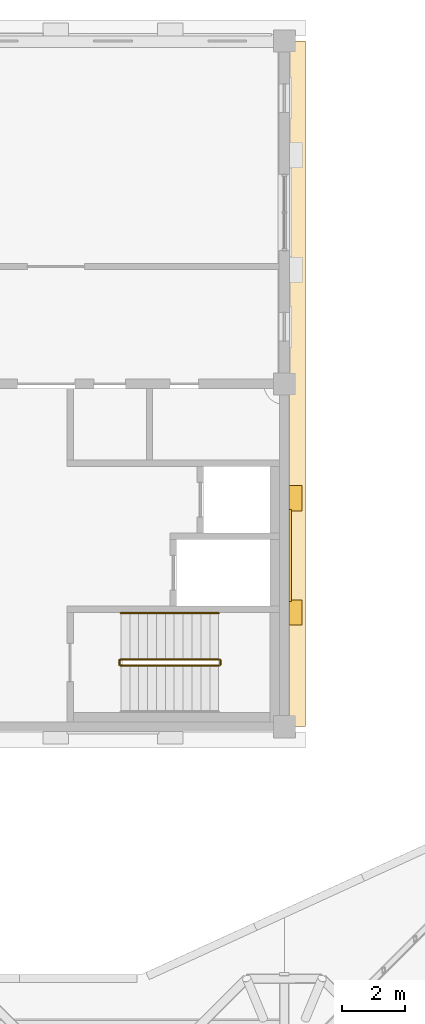
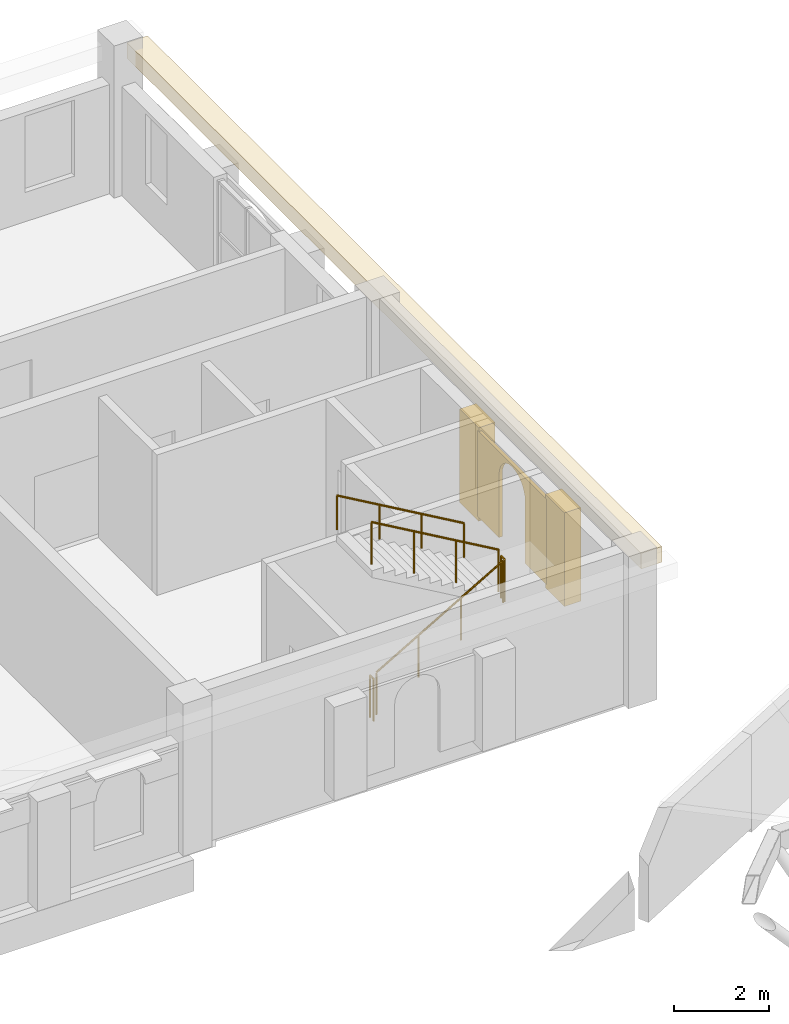
# One storey, part 31 of 32: 5 railings, 4 coverings.
"""IFC4 building model written with IfcOpenShell, lengths in metres."""

import ifcopenshell
import ifcopenshell.guid

model = None  # the IFC model being written
_history = None  # IfcOwnerHistory: only IFC2X3 demands one
_inside = {}  # id of a spatial element -> (the spatial element, [elements in it])
_under = {}  # id of a project, library or spatial element -> (it, [spatial elements below it])
_declared = {}  # id of a project -> (the project, [libraries it declares])
_typed = {}  # id of a type object -> (the type object, [elements of that type])
_made_of = {}  # id of a material, layer set ... -> (it, [elements and type objects made of it])


def new_model(schema):
    """Start an empty IFC model of exactly this schema.

    Asked for "IFC4X3", IfcOpenShell would pick the latest addendum, in which some entities
    have other attributes; the version numbers below select the first issue.
    IFC2X3 requires an IfcOwnerHistory on every rooted entity: one is made here for all.
    """
    global model, _history
    if schema == "IFC4X3":
        model = ifcopenshell.file(schema_version=(4, 3, 0, 0))
    else:
        model = ifcopenshell.file(schema=schema)
    _inside.clear()
    _under.clear()
    _declared.clear()
    _typed.clear()
    _made_of.clear()
    _history = None
    if model.schema == "IFC2X3":
        org = make("IfcOrganization", Name="unknown")
        user = make(
            "IfcPersonAndOrganization",
            ThePerson=make("IfcPerson", FamilyName="unknown"),
            TheOrganization=org,
        )
        app = make(
            "IfcApplication",
            ApplicationDeveloper=org,
            Version="unknown",
            ApplicationFullName="unknown",
            ApplicationIdentifier="unknown",
        )
        _history = make(
            "IfcOwnerHistory",
            OwningUser=user,
            OwningApplication=app,
            ChangeAction="ADDED",
            CreationDate=0,
        )
    return model


def make(cls, **values):
    """One entity of the class cls with the attributes given. An attribute that is None is left unset."""
    return model.create_entity(
        cls, **{name: value for name, value in values.items() if value is not None}
    )


def rooted(cls, **values):
    """An entity with a GlobalId (a new one), such as an element, a storey or a relation."""
    return make(cls, GlobalId=ifcopenshell.guid.new(), OwnerHistory=_history, **values)


def si_unit(unit_type, name, prefix=None):
    """IfcSIUnit, for example si_unit("LENGTHUNIT", "METRE", prefix="MILLI")."""
    return make("IfcSIUnit", UnitType=unit_type, Prefix=prefix, Name=name)


def assignment(units):
    """IfcUnitAssignment: the units of a project."""
    return None if units is None else make("IfcUnitAssignment", Units=units)


def point(xyz):
    """IfcCartesianPoint."""
    return None if xyz is None else make("IfcCartesianPoint", Coordinates=xyz)


def direction(xyz):
    """IfcDirection."""
    return None if xyz is None else make("IfcDirection", DirectionRatios=xyz)


def frame(location, z_axis=None, x_axis=None):
    """IfcAxis2Placement3D, a coordinate frame: its origin and axes. An axis left out is left unset."""
    return make(
        "IfcAxis2Placement3D",
        Location=point(location),
        Axis=direction(z_axis),
        RefDirection=direction(x_axis),
    )


def frame_2d(location, x_axis=None):
    """IfcAxis2Placement2D, a coordinate frame in the plane: its origin and x axis."""
    return make(
        "IfcAxis2Placement2D", Location=point(location), RefDirection=direction(x_axis)
    )


def origin():
    """The frame at (0, 0, 0) with its axes left unset."""
    return frame((0.0, 0.0, 0.0))


def origin_2d():
    """The frame at (0, 0) in the plane with its x axis left unset."""
    return frame_2d((0.0, 0.0))


def place(relative_to, where):
    """IfcLocalPlacement: puts the frame where relative to a parent placement (None: the world)."""
    return make(
        "IfcLocalPlacement", PlacementRelTo=relative_to, RelativePlacement=where
    )


def context(
    kind, dimensions, precision=None, world=None, true_north=None, identifier=None
):
    """IfcGeometricRepresentationContext, for example the 3D "Model" context."""
    return make(
        "IfcGeometricRepresentationContext",
        ContextIdentifier=identifier,
        ContextType=kind,
        CoordinateSpaceDimension=dimensions,
        Precision=precision,
        WorldCoordinateSystem=world,
        TrueNorth=true_north,
    )


def subcontext(parent, identifier, kind, view, scale=None):
    """IfcGeometricRepresentationSubContext, for example "Body" below "Model"."""
    return make(
        "IfcGeometricRepresentationSubContext",
        ContextIdentifier=identifier,
        ContextType=kind,
        ParentContext=parent,
        TargetScale=scale,
        TargetView=view,
    )


def project(units=None, contexts=None):
    """IfcProject with its units and contexts."""
    return rooted(
        "IfcProject",
        Name="project",
        RepresentationContexts=contexts,
        UnitsInContext=assignment(units),
    )


def spatial(cls, under=None, at=None, **own):
    """A site, building, storey or space (cls), placed at a placement, below another one or the project."""
    s = rooted(cls, ObjectPlacement=at, **own)
    if under is not None:
        _under.setdefault(under.id(), (under, []))[1].append(s)
    return s


def polyline(points):
    """IfcPolyline through the points."""
    return make("IfcPolyline", Points=[point(p) for p in points])


def profile(cls, at=None, kind="AREA", **sizes):
    """A parametric profile (cls). Its sizes go by their IFC names, for example OverallWidth=200.0."""
    return make(cls, ProfileType=kind, Position=at, **sizes)


def rectangle(**sizes):
    """IfcRectangleProfileDef."""
    return profile("IfcRectangleProfileDef", **sizes)


def circle(**sizes):
    """IfcCircleProfileDef."""
    return profile("IfcCircleProfileDef", **sizes)


def outline(outer, holes=None, kind="AREA"):
    """IfcArbitraryClosedProfileDef: a profile drawn as a closed curve; with holes, ...WithVoids."""
    if holes is None:
        return make("IfcArbitraryClosedProfileDef", ProfileType=kind, OuterCurve=outer)
    return make(
        "IfcArbitraryProfileDefWithVoids",
        ProfileType=kind,
        OuterCurve=outer,
        InnerCurves=holes,
    )


def extrude(swept, where, along, depth):
    """IfcExtrudedAreaSolid: the profile swept, set in the frame where, extruded along a direction by depth."""
    return make(
        "IfcExtrudedAreaSolid",
        SweptArea=swept,
        Position=where,
        ExtrudedDirection=direction(along),
        Depth=depth,
    )


def shape(context_of_items, identifier, shape_type, items):
    """IfcShapeRepresentation: the items that make up one representation, for example the "Body"."""
    return make(
        "IfcShapeRepresentation",
        ContextOfItems=context_of_items,
        RepresentationIdentifier=identifier,
        RepresentationType=shape_type,
        Items=items,
    )


def material(Name=None, Category=None):
    """IfcMaterial."""
    return make("IfcMaterial", Name=Name, Category=Category)


def layer(
    of_material, thickness, ventilated=None, Name=None, Category=None, Priority=None
):
    """IfcMaterialLayer: one layer of a wall or slab, of a material (None: an air gap)."""
    return make(
        "IfcMaterialLayer",
        Material=of_material,
        LayerThickness=thickness,
        IsVentilated=ventilated,
        Name=Name,
        Category=Category,
        Priority=Priority,
    )


def layer_set(layers, Name=None):
    """IfcMaterialLayerSet."""
    return make("IfcMaterialLayerSet", MaterialLayers=layers, LayerSetName=Name)


def made_of(thing, what):
    """Note that an element or type object is made of a material, layer set ...; save() writes the relation."""
    if what is not None:
        _made_of.setdefault(what.id(), (what, []))[1].append(thing)
    return thing


def type_object(cls, material=None, **own):
    """A type object (cls), such as IfcWallType, which elements share."""
    return made_of(rooted(cls, **own), material)


def element(
    cls,
    number,
    at=None,
    inside=None,
    cuts=None,
    type_object=None,
    material=None,
    context=None,
    identifier="Body",
    shape_type=None,
    held_by="IfcProductDefinitionShape",
    body=None,
    shapes=None,
    **own,
):
    """One element of the class cls, such as IfcWall. Its Tag is "e" and its number.

    at: its placement. inside: the storey or other place that contains it. cuts: it is an
    opening in that element (IfcRelVoidsElement). A single representation is given by context,
    identifier, shape_type and body (its items); several are given by shapes. held_by: the class
    of the entity that holds the representations. save() writes the other relations.
    """
    e = rooted(cls, Tag="e%d" % number, ObjectPlacement=at, **own)
    if body is not None:
        shapes = [shape(context, identifier, shape_type, body)]
    if shapes is not None:
        e.Representation = make(held_by, Representations=shapes)
    if inside is not None:
        _inside.setdefault(inside.id(), (inside, []))[1].append(e)
    if cuts is not None:
        rooted(
            "IfcRelVoidsElement", RelatingBuildingElement=cuts, RelatedOpeningElement=e
        )
    if type_object is not None:
        _typed.setdefault(type_object.id(), (type_object, []))[1].append(e)
    return made_of(e, material)


def aggregate(whole, parts):
    """IfcRelAggregates: a whole, such as a stair, and the parts it consists of."""
    return rooted("IfcRelAggregates", RelatingObject=whole, RelatedObjects=parts)


def save(model, path):
    """Write the relations noted so far, then the file.

    IfcRelAggregates (storeys below a building ...), IfcRelContainedInSpatialStructure (elements
    in a storey), IfcRelDefinesByType, IfcRelAssociatesMaterial and IfcRelDeclares: one each for
    every whole, place, type object, material and project.
    """
    for whole, parts in _under.values():
        aggregate(whole, parts)
    for where, things in _inside.values():
        rooted(
            "IfcRelContainedInSpatialStructure",
            RelatedElements=things,
            RelatingStructure=where,
        )
    for kind, things in _typed.values():
        rooted("IfcRelDefinesByType", RelatedObjects=things, RelatingType=kind)
    for what, things in _made_of.values():
        rooted("IfcRelAssociatesMaterial", RelatedObjects=things, RelatingMaterial=what)
    for by, libraries in _declared.values():
        rooted("IfcRelDeclares", RelatingContext=by, RelatedDefinitions=libraries)
    model.write(path)


model = new_model("IFC4")

# Units and contexts
model_context = context("Model", 3, precision=1e-05, world=origin(), true_north=direction((0.0, 1.0)))
body_context = subcontext(model_context, "Body", "Model", "MODEL_VIEW")
ifc_project = project(units=[si_unit("LENGTHUNIT", "METRE"), si_unit("AREAUNIT", "SQUARE_METRE"), si_unit("VOLUMEUNIT", "CUBIC_METRE"), si_unit("PLANEANGLEUNIT", "RADIAN"), si_unit("MASSUNIT", "GRAM", prefix="KILO")], contexts=[model_context])

# Site, building, storey
site_placement = place(None, origin())
site = spatial("IfcSite", under=ifc_project, at=site_placement, CompositionType="ELEMENT")
building_placement = place(site_placement, origin())
building = spatial("IfcBuilding", under=site, at=building_placement, Name="Magnolia Steps Interchange", CompositionType="ELEMENT")
storey_placement = place(building_placement, frame((0.0, 0.0, 16.5)))
storey = spatial("IfcBuildingStorey", under=building, at=storey_placement, Name="L04", CompositionType="ELEMENT", Elevation=16.5)

# Coverings
ifc_material_1 = material(Name="Lime render")
ifc_layer_1 = layer(ifc_material_1, 0.080078125)
ifc_layer_set_1 = layer_set([ifc_layer_1], Name="Lime render arch infill")
covering_type_1 = type_object("IfcCoveringType", Name="Lime render arch infill", PredefinedType="CLADDING", material=ifc_layer_set_1)
covering_1_placement = place(storey_placement, frame((118.14990234375, 100.35009765625, 0.39990234375), z_axis=(-1.0, 0.0, 0.0), x_axis=(0.0, 0.0, 1.0)))
element("IfcCovering", 1, at=covering_1_placement, inside=storey, type_object=covering_type_1, Name="Arched niche OC-E L04 E", PredefinedType="CLADDING", context=body_context, shape_type="SweptSolid", body=[
    extrude(outline(polyline([(0.0, 0.0), (2.200195312, 0.0), (2.200195312, 2.899902344), (0.0, 2.899902344), (0.0, 2.0), (1.600097656, 2.0), (1.742431641, 1.981201172), (1.875, 1.926269531), (1.989013672, 1.838867188), (2.076416016, 1.724853516), (2.131347656, 1.592285156), (2.150146484, 1.449951172), (2.131347656, 1.307617188), (2.076416016, 1.174804688), (1.989013672, 1.061035156), (1.875, 0.973632812), (1.742431641, 0.918701172), (1.600097656, 0.899902344), (0.0, 0.899902344), (0.0, 0.0)])), origin(), (0.0, 0.0, -1.0), 0.080078125),
])
ifc_material_2 = material(Name="Lime render")
ifc_layer_2 = layer(ifc_material_2, 0.1201171875)
ifc_layer_set_2 = layer_set([ifc_layer_2], Name="Lime render band")
covering_type_2 = type_object("IfcCoveringType", Name="Lime render band", PredefinedType="CLADDING", material=ifc_layer_set_2)
covering_2_placement = place(storey_placement, frame((118.41259765625, 107.199951171875, 3.199951171875), z_axis=(0.0, 0.0, 1.0), x_axis=(1.0, 0.0, 0.0)))
element("IfcCovering", 2, at=covering_2_placement, inside=storey, type_object=covering_type_2, Name="String course L04 E", PredefinedType="CLADDING", context=body_context, shape_type="SweptSolid", body=[
    extrude(rectangle(XDim=0.5, YDim=21.60009765625, at=origin_2d()), origin(), (0.0, 0.0, 1.0), 0.39990234375),
])
ifc_material_3 = material(Name="Lime render")
ifc_layer_3 = layer(ifc_material_3, 0.39990234375)
ifc_layer_set_3 = layer_set([ifc_layer_3], Name="Lime render pilaster")
covering_type_3 = type_object("IfcCoveringType", Name="Lime render pilaster", PredefinedType="CLADDING", material=ifc_layer_set_3)
for number, where, z_axis, x_axis, name in (
    (3, (118.35009765625, 100.0, 0.300048828125), (0.0, 0.0, 1.0), (1.0, 0.0, 0.0), "Core pilaster OC-E L04 E 1"),
    (4, (118.35009765625, 103.60009765625, 0.300048828125), (0.0, 0.0, 1.0), (1.0, 0.0, 0.0), "Core pilaster OC-E L04 E 2"),
):
    element("IfcCovering", number, at=place(storey_placement, frame(where, z_axis=z_axis, x_axis=x_axis)), inside=storey, type_object=covering_type_3, Name=name, PredefinedType="CLADDING", context=body_context, shape_type="SweptSolid", body=[
        extrude(rectangle(XDim=0.39990234375, YDim=0.800048828125, at=origin_2d()), origin(), (0.0, 0.0, 1.0), 2.39990234375),
    ])

# Railings
ifc_material_4 = material(Name="Stainless steel grade 304", Category="steel")
railing_type_1 = type_object("IfcRailingType", Name="Stair guard 1100", PredefinedType="GUARDRAIL", material=ifc_material_4)
railing_1_placement = place(storey_placement, frame((112.85009765625, 98.325927734375, 0.16259765625)))
element("IfcRailing", 5, at=railing_1_placement, inside=storey, type_object=railing_type_1, Name="L04 ST29 stair guard 1", PredefinedType="GUARDRAIL", context=body_context, shape_type="SweptSolid", body=[
    extrude(circle(Radius=0.02392578125, at=origin_2d()), frame((0.0, 0.0, 1.076171875), z_axis=(0.864903211148, 0.0, 0.501938676878), x_axis=(0.0, 1.0, 0.0)), (0.0, 0.0, 1.0), 3.560791015625),
    extrude(circle(Radius=0.02099609375, at=origin_2d()), origin(), (0.0, 0.0, 1.0), 1.052001953125),
    extrude(circle(Radius=0.02099609375, at=origin_2d()), frame((1.026611328125, 0.0, 0.595703125)), (0.0, 0.0, 1.0), 1.052001953125),
    extrude(circle(Radius=0.02099609375, at=origin_2d()), frame((2.05322265625, 0.0, 1.191650390625)), (0.0, 0.0, 1.0), 1.052001953125),
    extrude(circle(Radius=0.02099609375, at=origin_2d()), frame((3.079833984375, 0.0, 1.787353515625)), (0.0, 0.0, 1.0), 1.052001953125),
])
railing_2_placement = place(storey_placement, frame((115.97998046875, 98.35009765625, 1.949951171875)))
element("IfcRailing", 6, at=railing_2_placement, inside=storey, type_object=railing_type_1, Name="L04 ST29 stair guard 2", PredefinedType="GUARDRAIL", context=body_context, shape_type="SweptSolid", body=[
    extrude(circle(Radius=0.02392578125, at=origin_2d()), frame((0.0, 0.0, 1.076171875), z_axis=(0.0, 1.0, 0.0), x_axis=(-1.0, 0.0, 0.0)), (0.0, 0.0, 1.0), 0.14990234375),
    extrude(circle(Radius=0.02099609375, at=origin_2d()), origin(), (0.0, 0.0, 1.0), 1.052001953125),
    extrude(circle(Radius=0.02099609375, at=origin_2d()), frame((0.0, 0.14990234375, 0.0)), (0.0, 0.0, 1.0), 1.052001953125),
])
railing_3_placement = place(storey_placement, frame((115.929931640625, 98.52392578125, 2.112548828125)))
element("IfcRailing", 7, at=railing_3_placement, inside=storey, type_object=railing_type_1, Name="L04 ST29 stair guard 3", PredefinedType="GUARDRAIL", context=body_context, shape_type="SweptSolid", body=[
    extrude(circle(Radius=0.02392578125, at=origin_2d()), frame((0.0, 0.0, 1.076171875), z_axis=(-0.864903211148, 0.0, 0.501938676878), x_axis=(0.0, -1.0, 0.0)), (0.0, 0.0, 1.0), 3.560791015625),
    extrude(circle(Radius=0.02099609375, at=origin_2d()), origin(), (0.0, 0.0, 1.0), 1.052001953125),
    extrude(circle(Radius=0.02099609375, at=origin_2d()), frame((-1.026611328125, 0.0, 0.595703125)), (0.0, 0.0, 1.0), 1.052001953125),
    extrude(circle(Radius=0.02099609375, at=origin_2d()), frame((-2.05322265625, 0.0, 1.191650390625)), (0.0, 0.0, 1.0), 1.052001953125),
    extrude(circle(Radius=0.02099609375, at=origin_2d()), frame((-3.079833984375, 0.0, 1.787353515625)), (0.0, 0.0, 1.0), 1.052001953125),
])
railing_4_placement = place(storey_placement, frame((112.800048828125, 98.35009765625, 0.0)))
element("IfcRailing", 8, at=railing_4_placement, inside=storey, type_object=railing_type_1, Name="L04 ST29 stair guard 4", PredefinedType="GUARDRAIL", context=body_context, shape_type="SweptSolid", body=[
    extrude(circle(Radius=0.02392578125, at=origin_2d()), frame((0.0, 0.0, 1.076171875), z_axis=(0.0, 1.0, 0.0), x_axis=(-1.0, 0.0, 0.0)), (0.0, 0.0, 1.0), 0.14990234375),
    extrude(circle(Radius=0.02099609375, at=origin_2d()), origin(), (0.0, 0.0, 1.0), 1.052001953125),
    extrude(circle(Radius=0.02099609375, at=origin_2d()), frame((0.0, 0.14990234375, 0.0)), (0.0, 0.0, 1.0), 1.052001953125),
])
ifc_material_5 = material(Name="Stainless steel grade 304", Category="steel")
railing_type_2 = type_object("IfcRailingType", Name="Stair handrail 900", PredefinedType="HANDRAIL", material=ifc_material_5)
railing_5_placement = place(storey_placement, frame((115.929931640625, 99.97607421875, 2.112548828125)))
element("IfcRailing", 9, at=railing_5_placement, inside=storey, type_object=railing_type_2, Name="L04 ST29 stair handrail 2", PredefinedType="HANDRAIL", context=body_context, shape_type="SweptSolid", body=[
    extrude(circle(Radius=0.02392578125, at=origin_2d()), frame((0.0, 0.0, 0.8759765625), z_axis=(-0.864903211148, 0.0, 0.501938676878), x_axis=(0.0, -1.0, 0.0)), (0.0, 0.0, 1.0), 3.560791015625),
    extrude(circle(Radius=0.02099609375, at=origin_2d()), origin(), (0.0, 0.0, 1.0), 0.851806640625),
    extrude(circle(Radius=0.02099609375, at=origin_2d()), frame((-1.026611328125, 0.0, 0.595703125)), (0.0, 0.0, 1.0), 0.851806640625),
    extrude(circle(Radius=0.02099609375, at=origin_2d()), frame((-2.05322265625, 0.0, 1.191650390625)), (0.0, 0.0, 1.0), 0.851806640625),
    extrude(circle(Radius=0.02099609375, at=origin_2d()), frame((-3.079833984375, 0.0, 1.787353515625)), (0.0, 0.0, 1.0), 0.851806640625),
])

save(model, "model.ifc")
